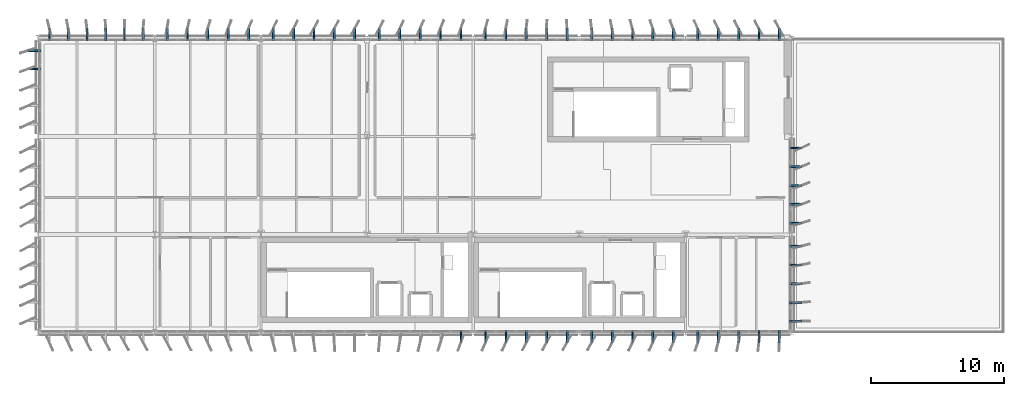
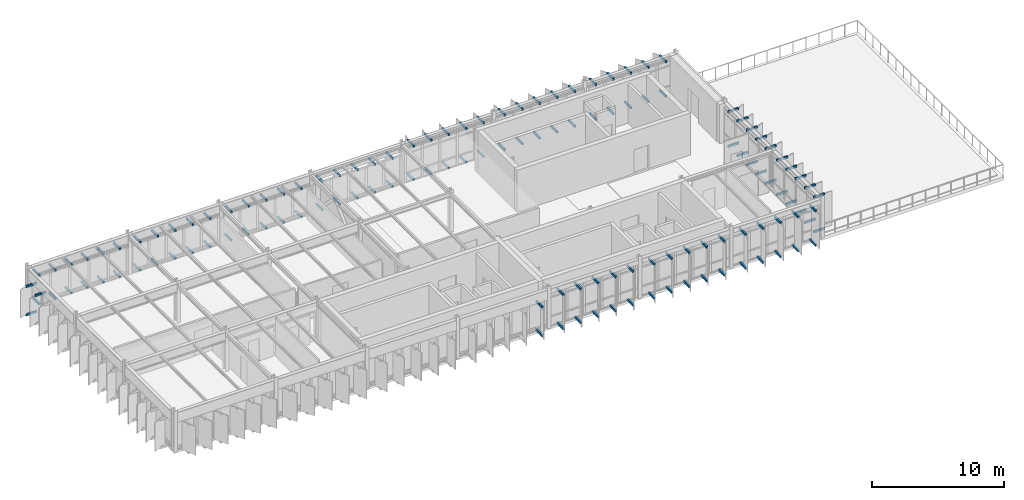
# One storey, part 17 of 20: 127 discrete accessories.
"""IFC4 building model written with IfcOpenShell, lengths in metres."""

from ifc_helpers import new_model, si_unit, direction, frame, origin, origin_2d, place, context, subcontext, project, spatial, rectangle, extrude, material, type_object, element, save


model = new_model("IFC4")

# Units and contexts
model_context = context("Model", 3, precision=1e-05, world=origin(), true_north=direction((0.0, 1.0)))
body_context = subcontext(model_context, "Body", "Model", "MODEL_VIEW")
ifc_project = project(units=[si_unit("LENGTHUNIT", "METRE"), si_unit("AREAUNIT", "SQUARE_METRE"), si_unit("VOLUMEUNIT", "CUBIC_METRE"), si_unit("PLANEANGLEUNIT", "RADIAN"), si_unit("MASSUNIT", "GRAM", prefix="KILO")], contexts=[model_context])

# Site, building, storey
site_placement = place(None, origin())
site = spatial("IfcSite", under=ifc_project, at=site_placement, CompositionType="ELEMENT")
building_placement = place(site_placement, origin())
building = spatial("IfcBuilding", under=site, at=building_placement, Name="Valkorina Park Police Headquarters", CompositionType="ELEMENT")
storey_placement = place(building_placement, frame((0.0, 0.0, 31.10009765625)))
storey = spatial("IfcBuildingStorey", under=building, at=storey_placement, Name="L08", CompositionType="ELEMENT", Elevation=31.10009765625)

# Discrete accessories
ifc_material = material(Name="Thermally broken aluminium AW-6060", Category="aluminium")
discrete_accessory_type = type_object("IfcDiscreteAccessoryType", Name="ACC-BRACKET-LOUVRE", PredefinedType="BRACKET", material=ifc_material)
for number, where, z_axis, x_axis, name in (
    (1, (55.8720703125, 36.719970703125, -0.06982421875), (0.0, 0.0, 1.0), (0.0, -1.0, 0.0), "Louvre Outrigger Bracket BOT 1157"),
    (2, (55.8720703125, 36.719970703125, 3.06005859375), (0.0, 0.0, 1.0), (0.0, -1.0, 0.0), "Louvre Outrigger Bracket TOP 1158"),
    (3, (54.3359375, 36.719970703125, -0.06982421875), (0.0, 0.0, 1.0), (0.0, -1.0, 0.0), "Louvre Outrigger Bracket BOT 1159"),
    (4, (54.3359375, 36.719970703125, 3.06005859375), (0.0, 0.0, 1.0), (0.0, -1.0, 0.0), "Louvre Outrigger Bracket TOP 1160"),
    (5, (52.800048828125, 36.719970703125, -0.06982421875), (0.0, 0.0, 1.0), (0.0, -1.0, 0.0), "Louvre Outrigger Bracket BOT 1161"),
    (6, (52.800048828125, 36.719970703125, 3.06005859375), (0.0, 0.0, 1.0), (0.0, -1.0, 0.0), "Louvre Outrigger Bracket TOP 1162"),
    (7, (51.263916015625, 36.719970703125, -0.06982421875), (0.0, 0.0, 1.0), (0.0, -1.0, 0.0), "Louvre Outrigger Bracket BOT 1163"),
    (8, (51.263916015625, 36.719970703125, 3.06005859375), (0.0, 0.0, 1.0), (0.0, -1.0, 0.0), "Louvre Outrigger Bracket TOP 1164"),
    (9, (49.72802734375, 36.719970703125, -0.06982421875), (0.0, 0.0, 1.0), (0.0, -1.0, 0.0), "Louvre Outrigger Bracket BOT 1165"),
    (10, (49.72802734375, 36.719970703125, 3.06005859375), (0.0, 0.0, 1.0), (0.0, -1.0, 0.0), "Louvre Outrigger Bracket TOP 1166"),
    (11, (47.8720703125, 36.719970703125, -0.06982421875), (0.0, 0.0, 1.0), (0.0, -1.0, 0.0), "Louvre Outrigger Bracket BOT 1167"),
    (12, (47.8720703125, 36.719970703125, 3.06005859375), (0.0, 0.0, 1.0), (0.0, -1.0, 0.0), "Louvre Outrigger Bracket TOP 1168"),
    (13, (46.3359375, 36.719970703125, -0.06982421875), (0.0, 0.0, 1.0), (0.0, -1.0, 0.0), "Louvre Outrigger Bracket BOT 1169"),
    (14, (46.3359375, 36.719970703125, 3.06005859375), (0.0, 0.0, 1.0), (0.0, -1.0, 0.0), "Louvre Outrigger Bracket TOP 1170"),
    (15, (44.800048828125, 36.719970703125, -0.06982421875), (0.0, 0.0, 1.0), (0.0, -1.0, 0.0), "Louvre Outrigger Bracket BOT 1171"),
    (16, (44.800048828125, 36.719970703125, 3.06005859375), (0.0, 0.0, 1.0), (0.0, -1.0, 0.0), "Louvre Outrigger Bracket TOP 1172"),
    (17, (43.263916015625, 36.719970703125, -0.06982421875), (0.0, 0.0, 1.0), (0.0, -1.0, 0.0), "Louvre Outrigger Bracket BOT 1173"),
    (18, (43.263916015625, 36.719970703125, 3.06005859375), (0.0, 0.0, 1.0), (0.0, -1.0, 0.0), "Louvre Outrigger Bracket TOP 1174"),
    (19, (41.72802734375, 36.719970703125, -0.06982421875), (0.0, 0.0, 1.0), (0.0, -1.0, 0.0), "Louvre Outrigger Bracket BOT 1175"),
    (20, (41.72802734375, 36.719970703125, 3.06005859375), (0.0, 0.0, 1.0), (0.0, -1.0, 0.0), "Louvre Outrigger Bracket TOP 1176"),
    (21, (39.8720703125, 36.719970703125, -0.06982421875), (0.0, 0.0, 1.0), (0.0, -1.0, 0.0), "Louvre Outrigger Bracket BOT 1177"),
    (22, (39.8720703125, 36.719970703125, 3.06005859375), (0.0, 0.0, 1.0), (0.0, -1.0, 0.0), "Louvre Outrigger Bracket TOP 1178"),
    (23, (38.3359375, 36.719970703125, -0.06982421875), (0.0, 0.0, 1.0), (0.0, -1.0, 0.0), "Louvre Outrigger Bracket BOT 1179"),
    (24, (38.3359375, 36.719970703125, 3.06005859375), (0.0, 0.0, 1.0), (0.0, -1.0, 0.0), "Louvre Outrigger Bracket TOP 1180"),
    (25, (36.800048828125, 36.719970703125, -0.06982421875), (0.0, 0.0, 1.0), (0.0, -1.0, 0.0), "Louvre Outrigger Bracket BOT 1181"),
    (26, (36.800048828125, 36.719970703125, 3.06005859375), (0.0, 0.0, 1.0), (0.0, -1.0, 0.0), "Louvre Outrigger Bracket TOP 1182"),
    (27, (35.263916015625, 36.719970703125, -0.06982421875), (0.0, 0.0, 1.0), (0.0, -1.0, 0.0), "Louvre Outrigger Bracket BOT 1183"),
    (28, (35.263916015625, 36.719970703125, 3.06005859375), (0.0, 0.0, 1.0), (0.0, -1.0, 0.0), "Louvre Outrigger Bracket TOP 1184"),
    (29, (33.72802734375, 36.719970703125, -0.06982421875), (0.0, 0.0, 1.0), (0.0, -1.0, 0.0), "Louvre Outrigger Bracket BOT 1185"),
    (30, (33.72802734375, 36.719970703125, 3.06005859375), (0.0, 0.0, 1.0), (0.0, -1.0, 0.0), "Louvre Outrigger Bracket TOP 1186"),
    (31, (31.8720703125, 36.719970703125, -0.06982421875), (0.0, 0.0, 1.0), (0.0, -1.0, 0.0), "Louvre Outrigger Bracket BOT 1187"),
    (32, (31.8720703125, 36.719970703125, 2.56005859375), (0.0, 0.0, 1.0), (0.0, -1.0, 0.0), "Louvre Outrigger Bracket TOP 1188"),
    (33, (-0.280029296875, 56.885986328125, 2.56005859375), (0.0, 0.0, 1.0), (-1.0, 0.0, 0.0), "Louvre Outrigger Bracket TOP 1256"),
    (34, (-0.280029296875, 58.27197265625, -0.06982421875), (0.0, 0.0, 1.0), (-1.0, 0.0, 0.0), "Louvre Outrigger Bracket BOT 1257"),
    (35, (-0.280029296875, 58.27197265625, 2.56005859375), (0.0, 0.0, 1.0), (-1.0, 0.0, 0.0), "Louvre Outrigger Bracket TOP 1258"),
    (36, (0.86669921875, 59.47998046875, -0.06982421875), (0.0, 0.0, 1.0), (0.0, 1.0, 0.0), "Louvre Outrigger Bracket BOT 1259"),
    (37, (0.86669921875, 59.47998046875, 2.56005859375), (0.0, 0.0, 1.0), (0.0, 1.0, 0.0), "Louvre Outrigger Bracket TOP 1260"),
    (38, (2.280029296875, 59.47998046875, -0.06982421875), (0.0, 0.0, 1.0), (0.0, 1.0, 0.0), "Louvre Outrigger Bracket BOT 1261"),
    (39, (2.280029296875, 59.47998046875, 2.56005859375), (0.0, 0.0, 1.0), (0.0, 1.0, 0.0), "Louvre Outrigger Bracket TOP 1262"),
    (40, (3.693359375, 59.47998046875, -0.06982421875), (0.0, 0.0, 1.0), (0.0, 1.0, 0.0), "Louvre Outrigger Bracket BOT 1263"),
    (41, (3.693359375, 59.47998046875, 2.56005859375), (0.0, 0.0, 1.0), (0.0, 1.0, 0.0), "Louvre Outrigger Bracket TOP 1264"),
    (42, (5.106689453125, 59.47998046875, -0.06982421875), (0.0, 0.0, 1.0), (0.0, 1.0, 0.0), "Louvre Outrigger Bracket BOT 1265"),
    (43, (5.106689453125, 59.47998046875, 2.56005859375), (0.0, 0.0, 1.0), (0.0, 1.0, 0.0), "Louvre Outrigger Bracket TOP 1266"),
    (44, (6.52001953125, 59.47998046875, -0.06982421875), (0.0, 0.0, 1.0), (0.0, 1.0, 0.0), "Louvre Outrigger Bracket BOT 1267"),
    (45, (6.52001953125, 59.47998046875, 2.56005859375), (0.0, 0.0, 1.0), (0.0, 1.0, 0.0), "Louvre Outrigger Bracket TOP 1268"),
    (46, (7.933349609375, 59.47998046875, -0.06982421875), (0.0, 0.0, 1.0), (0.0, 1.0, 0.0), "Louvre Outrigger Bracket BOT 1269"),
    (47, (7.933349609375, 59.47998046875, 2.56005859375), (0.0, 0.0, 1.0), (0.0, 1.0, 0.0), "Louvre Outrigger Bracket TOP 1270"),
    (48, (9.72802734375, 59.47998046875, -0.06982421875), (0.0, 0.0, 1.0), (0.0, 1.0, 0.0), "Louvre Outrigger Bracket BOT 1271"),
    (49, (9.72802734375, 59.47998046875, 2.56005859375), (0.0, 0.0, 1.0), (0.0, 1.0, 0.0), "Louvre Outrigger Bracket TOP 1272"),
    (50, (11.263916015625, 59.47998046875, -0.06982421875), (0.0, 0.0, 1.0), (0.0, 1.0, 0.0), "Louvre Outrigger Bracket BOT 1273"),
    (51, (11.263916015625, 59.47998046875, 2.56005859375), (0.0, 0.0, 1.0), (0.0, 1.0, 0.0), "Louvre Outrigger Bracket TOP 1274"),
    (52, (12.800048828125, 59.47998046875, -0.06982421875), (0.0, 0.0, 1.0), (0.0, 1.0, 0.0), "Louvre Outrigger Bracket BOT 1275"),
    (53, (12.800048828125, 59.47998046875, 2.56005859375), (0.0, 0.0, 1.0), (0.0, 1.0, 0.0), "Louvre Outrigger Bracket TOP 1276"),
    (54, (14.3359375, 59.47998046875, -0.06982421875), (0.0, 0.0, 1.0), (0.0, 1.0, 0.0), "Louvre Outrigger Bracket BOT 1277"),
    (55, (14.3359375, 59.47998046875, 2.56005859375), (0.0, 0.0, 1.0), (0.0, 1.0, 0.0), "Louvre Outrigger Bracket TOP 1278"),
    (56, (15.8720703125, 59.47998046875, -0.06982421875), (0.0, 0.0, 1.0), (0.0, 1.0, 0.0), "Louvre Outrigger Bracket BOT 1279"),
    (57, (15.8720703125, 59.47998046875, 2.56005859375), (0.0, 0.0, 1.0), (0.0, 1.0, 0.0), "Louvre Outrigger Bracket TOP 1280"),
    (58, (17.72802734375, 59.47998046875, -0.06982421875), (0.0, 0.0, 1.0), (0.0, 1.0, 0.0), "Louvre Outrigger Bracket BOT 1281"),
    (59, (17.72802734375, 59.47998046875, 2.56005859375), (0.0, 0.0, 1.0), (0.0, 1.0, 0.0), "Louvre Outrigger Bracket TOP 1282"),
    (60, (19.263916015625, 59.47998046875, -0.06982421875), (0.0, 0.0, 1.0), (0.0, 1.0, 0.0), "Louvre Outrigger Bracket BOT 1283"),
    (61, (19.263916015625, 59.47998046875, 2.56005859375), (0.0, 0.0, 1.0), (0.0, 1.0, 0.0), "Louvre Outrigger Bracket TOP 1284"),
    (62, (20.800048828125, 59.47998046875, -0.06982421875), (0.0, 0.0, 1.0), (0.0, 1.0, 0.0), "Louvre Outrigger Bracket BOT 1285"),
    (63, (20.800048828125, 59.47998046875, 2.56005859375), (0.0, 0.0, 1.0), (0.0, 1.0, 0.0), "Louvre Outrigger Bracket TOP 1286"),
    (64, (22.3359375, 59.47998046875, -0.06982421875), (0.0, 0.0, 1.0), (0.0, 1.0, 0.0), "Louvre Outrigger Bracket BOT 1287"),
    (65, (22.3359375, 59.47998046875, 2.56005859375), (0.0, 0.0, 1.0), (0.0, 1.0, 0.0), "Louvre Outrigger Bracket TOP 1288"),
    (66, (23.8720703125, 59.47998046875, -0.06982421875), (0.0, 0.0, 1.0), (0.0, 1.0, 0.0), "Louvre Outrigger Bracket BOT 1289"),
    (67, (23.8720703125, 59.47998046875, 2.56005859375), (0.0, 0.0, 1.0), (0.0, 1.0, 0.0), "Louvre Outrigger Bracket TOP 1290"),
    (68, (25.72802734375, 59.47998046875, -0.06982421875), (0.0, 0.0, 1.0), (0.0, 1.0, 0.0), "Louvre Outrigger Bracket BOT 1291"),
    (69, (25.72802734375, 59.47998046875, 2.56005859375), (0.0, 0.0, 1.0), (0.0, 1.0, 0.0), "Louvre Outrigger Bracket TOP 1292"),
    (70, (27.263916015625, 59.47998046875, -0.06982421875), (0.0, 0.0, 1.0), (0.0, 1.0, 0.0), "Louvre Outrigger Bracket BOT 1293"),
    (71, (27.263916015625, 59.47998046875, 2.56005859375), (0.0, 0.0, 1.0), (0.0, 1.0, 0.0), "Louvre Outrigger Bracket TOP 1294"),
    (72, (28.800048828125, 59.47998046875, -0.06982421875), (0.0, 0.0, 1.0), (0.0, 1.0, 0.0), "Louvre Outrigger Bracket BOT 1295"),
    (73, (28.800048828125, 59.47998046875, 2.56005859375), (0.0, 0.0, 1.0), (0.0, 1.0, 0.0), "Louvre Outrigger Bracket TOP 1296"),
    (74, (30.3359375, 59.47998046875, -0.06982421875), (0.0, 0.0, 1.0), (0.0, 1.0, 0.0), "Louvre Outrigger Bracket BOT 1297"),
    (75, (30.3359375, 59.47998046875, 2.56005859375), (0.0, 0.0, 1.0), (0.0, 1.0, 0.0), "Louvre Outrigger Bracket TOP 1298"),
    (76, (31.8720703125, 59.47998046875, -0.06982421875), (0.0, 0.0, 1.0), (0.0, 1.0, 0.0), "Louvre Outrigger Bracket BOT 1299"),
    (77, (31.8720703125, 59.47998046875, 2.56005859375), (0.0, 0.0, 1.0), (0.0, 1.0, 0.0), "Louvre Outrigger Bracket TOP 1300"),
    (78, (33.72802734375, 59.47998046875, -0.06982421875), (0.0, 0.0, 1.0), (0.0, 1.0, 0.0), "Louvre Outrigger Bracket BOT 1301"),
    (79, (33.72802734375, 59.47998046875, 3.06005859375), (0.0, 0.0, 1.0), (0.0, 1.0, 0.0), "Louvre Outrigger Bracket TOP 1302"),
    (80, (35.263916015625, 59.47998046875, -0.06982421875), (0.0, 0.0, 1.0), (0.0, 1.0, 0.0), "Louvre Outrigger Bracket BOT 1303"),
    (81, (35.263916015625, 59.47998046875, 3.06005859375), (0.0, 0.0, 1.0), (0.0, 1.0, 0.0), "Louvre Outrigger Bracket TOP 1304"),
    (82, (36.800048828125, 59.47998046875, -0.06982421875), (0.0, 0.0, 1.0), (0.0, 1.0, 0.0), "Louvre Outrigger Bracket BOT 1305"),
    (83, (36.800048828125, 59.47998046875, 3.06005859375), (0.0, 0.0, 1.0), (0.0, 1.0, 0.0), "Louvre Outrigger Bracket TOP 1306"),
    (84, (38.3359375, 59.47998046875, -0.06982421875), (0.0, 0.0, 1.0), (0.0, 1.0, 0.0), "Louvre Outrigger Bracket BOT 1307"),
    (85, (38.3359375, 59.47998046875, 3.06005859375), (0.0, 0.0, 1.0), (0.0, 1.0, 0.0), "Louvre Outrigger Bracket TOP 1308"),
    (86, (39.8720703125, 59.47998046875, -0.06982421875), (0.0, 0.0, 1.0), (0.0, 1.0, 0.0), "Louvre Outrigger Bracket BOT 1309"),
    (87, (39.8720703125, 59.47998046875, 3.06005859375), (0.0, 0.0, 1.0), (0.0, 1.0, 0.0), "Louvre Outrigger Bracket TOP 1310"),
    (88, (41.72802734375, 59.47998046875, -0.06982421875), (0.0, 0.0, 1.0), (0.0, 1.0, 0.0), "Louvre Outrigger Bracket BOT 1311"),
    (89, (41.72802734375, 59.47998046875, 3.1298828125), (0.0, 0.0, 1.0), (0.0, 1.0, 0.0), "Louvre Outrigger Bracket TOP 1312"),
    (90, (43.263916015625, 59.47998046875, -0.06982421875), (0.0, 0.0, 1.0), (0.0, 1.0, 0.0), "Louvre Outrigger Bracket BOT 1313"),
    (91, (43.263916015625, 59.47998046875, 3.1298828125), (0.0, 0.0, 1.0), (0.0, 1.0, 0.0), "Louvre Outrigger Bracket TOP 1314"),
    (92, (44.800048828125, 59.47998046875, -0.06982421875), (0.0, 0.0, 1.0), (0.0, 1.0, 0.0), "Louvre Outrigger Bracket BOT 1315"),
    (93, (44.800048828125, 59.47998046875, 3.1298828125), (0.0, 0.0, 1.0), (0.0, 1.0, 0.0), "Louvre Outrigger Bracket TOP 1316"),
    (94, (46.3359375, 59.47998046875, -0.06982421875), (0.0, 0.0, 1.0), (0.0, 1.0, 0.0), "Louvre Outrigger Bracket BOT 1317"),
    (95, (46.3359375, 59.47998046875, 3.1298828125), (0.0, 0.0, 1.0), (0.0, 1.0, 0.0), "Louvre Outrigger Bracket TOP 1318"),
    (96, (47.8720703125, 59.47998046875, -0.06982421875), (0.0, 0.0, 1.0), (0.0, 1.0, 0.0), "Louvre Outrigger Bracket BOT 1319"),
    (97, (47.8720703125, 59.47998046875, 3.1298828125), (0.0, 0.0, 1.0), (0.0, 1.0, 0.0), "Louvre Outrigger Bracket TOP 1320"),
    (98, (49.72802734375, 59.47998046875, -0.06982421875), (0.0, 0.0, 1.0), (0.0, 1.0, 0.0), "Louvre Outrigger Bracket BOT 1321"),
    (99, (49.72802734375, 59.47998046875, 3.1298828125), (0.0, 0.0, 1.0), (0.0, 1.0, 0.0), "Louvre Outrigger Bracket TOP 1322"),
    (100, (51.263916015625, 59.47998046875, -0.06982421875), (0.0, 0.0, 1.0), (0.0, 1.0, 0.0), "Louvre Outrigger Bracket BOT 1323"),
    (101, (51.263916015625, 59.47998046875, 3.1298828125), (0.0, 0.0, 1.0), (0.0, 1.0, 0.0), "Louvre Outrigger Bracket TOP 1324"),
    (102, (52.800048828125, 59.47998046875, -0.06982421875), (0.0, 0.0, 1.0), (0.0, 1.0, 0.0), "Louvre Outrigger Bracket BOT 1325"),
    (103, (52.800048828125, 59.47998046875, 3.1298828125), (0.0, 0.0, 1.0), (0.0, 1.0, 0.0), "Louvre Outrigger Bracket TOP 1326"),
    (104, (54.3359375, 59.47998046875, -0.06982421875), (0.0, 0.0, 1.0), (0.0, 1.0, 0.0), "Louvre Outrigger Bracket BOT 1327"),
    (105, (54.3359375, 59.47998046875, 3.1298828125), (0.0, 0.0, 1.0), (0.0, 1.0, 0.0), "Louvre Outrigger Bracket TOP 1328"),
    (106, (55.8720703125, 59.47998046875, -0.06982421875), (0.0, 0.0, 1.0), (0.0, 1.0, 0.0), "Louvre Outrigger Bracket BOT 1329"),
    (107, (55.8720703125, 59.47998046875, 3.1298828125), (0.0, 0.0, 1.0), (0.0, 1.0, 0.0), "Louvre Outrigger Bracket TOP 1330"),
    (108, (57.080078125, 50.931884765625, -0.06982421875), (0.0, 0.0, 1.0), (1.0, 0.0, 0.0), "Louvre Outrigger Bracket BOT 1331"),
    (109, (57.080078125, 50.931884765625, 3.1298828125), (0.0, 0.0, 1.0), (1.0, 0.0, 0.0), "Louvre Outrigger Bracket TOP 1332"),
    (110, (57.080078125, 49.51611328125, -0.06982421875), (0.0, 0.0, 1.0), (1.0, 0.0, 0.0), "Louvre Outrigger Bracket BOT 1333"),
    (111, (57.080078125, 49.51611328125, 3.1298828125), (0.0, 0.0, 1.0), (1.0, 0.0, 0.0), "Louvre Outrigger Bracket TOP 1334"),
    (112, (57.080078125, 48.10009765625, -0.06982421875), (0.0, 0.0, 1.0), (1.0, 0.0, 0.0), "Louvre Outrigger Bracket BOT 1335"),
    (113, (57.080078125, 48.10009765625, 3.1298828125), (0.0, 0.0, 1.0), (1.0, 0.0, 0.0), "Louvre Outrigger Bracket TOP 1336"),
    (114, (57.080078125, 46.68408203125, -0.06982421875), (0.0, 0.0, 1.0), (1.0, 0.0, 0.0), "Louvre Outrigger Bracket BOT 1337"),
    (115, (57.080078125, 46.68408203125, 3.1298828125), (0.0, 0.0, 1.0), (1.0, 0.0, 0.0), "Louvre Outrigger Bracket TOP 1338"),
    (116, (57.080078125, 45.26806640625, -0.06982421875), (0.0, 0.0, 1.0), (1.0, 0.0, 0.0), "Louvre Outrigger Bracket BOT 1339"),
    (117, (57.080078125, 45.26806640625, 3.1298828125), (0.0, 0.0, 1.0), (1.0, 0.0, 0.0), "Louvre Outrigger Bracket TOP 1340"),
    (118, (57.080078125, 43.531982421875, -0.06982421875), (0.0, 0.0, 1.0), (1.0, 0.0, 0.0), "Louvre Outrigger Bracket BOT 1341"),
    (119, (57.080078125, 43.531982421875, 3.1298828125), (0.0, 0.0, 1.0), (1.0, 0.0, 0.0), "Louvre Outrigger Bracket TOP 1342"),
    (120, (57.080078125, 42.115966796875, -0.06982421875), (0.0, 0.0, 1.0), (1.0, 0.0, 0.0), "Louvre Outrigger Bracket BOT 1343"),
    (121, (57.080078125, 42.115966796875, 3.1298828125), (0.0, 0.0, 1.0), (1.0, 0.0, 0.0), "Louvre Outrigger Bracket TOP 1344"),
    (122, (57.080078125, 40.699951171875, -0.06982421875), (0.0, 0.0, 1.0), (1.0, 0.0, 0.0), "Louvre Outrigger Bracket BOT 1345"),
    (123, (57.080078125, 40.699951171875, 3.1298828125), (0.0, 0.0, 1.0), (1.0, 0.0, 0.0), "Louvre Outrigger Bracket TOP 1346"),
    (124, (57.080078125, 39.283935546875, -0.06982421875), (0.0, 0.0, 1.0), (1.0, 0.0, 0.0), "Louvre Outrigger Bracket BOT 1347"),
    (125, (57.080078125, 39.283935546875, 3.1298828125), (0.0, 0.0, 1.0), (1.0, 0.0, 0.0), "Louvre Outrigger Bracket TOP 1348"),
    (126, (57.080078125, 37.867919921875, -0.06982421875), (0.0, 0.0, 1.0), (1.0, 0.0, 0.0), "Louvre Outrigger Bracket BOT 1349"),
    (127, (57.080078125, 37.867919921875, 3.1298828125), (0.0, 0.0, 1.0), (1.0, 0.0, 0.0), "Louvre Outrigger Bracket TOP 1350"),
):
    element("IfcDiscreteAccessory", number, at=place(storey_placement, frame(where, z_axis=z_axis, x_axis=x_axis)), inside=storey, type_object=discrete_accessory_type, Name=name, PredefinedType="BRACKET", context=body_context, shape_type="SweptSolid", body=[
        extrude(rectangle(XDim=0.9599609375, YDim=0.139892578125, at=origin_2d()), origin(), (0.0, 0.0, 1.0), 0.179931640625),
    ])

save(model, "model.ifc")
